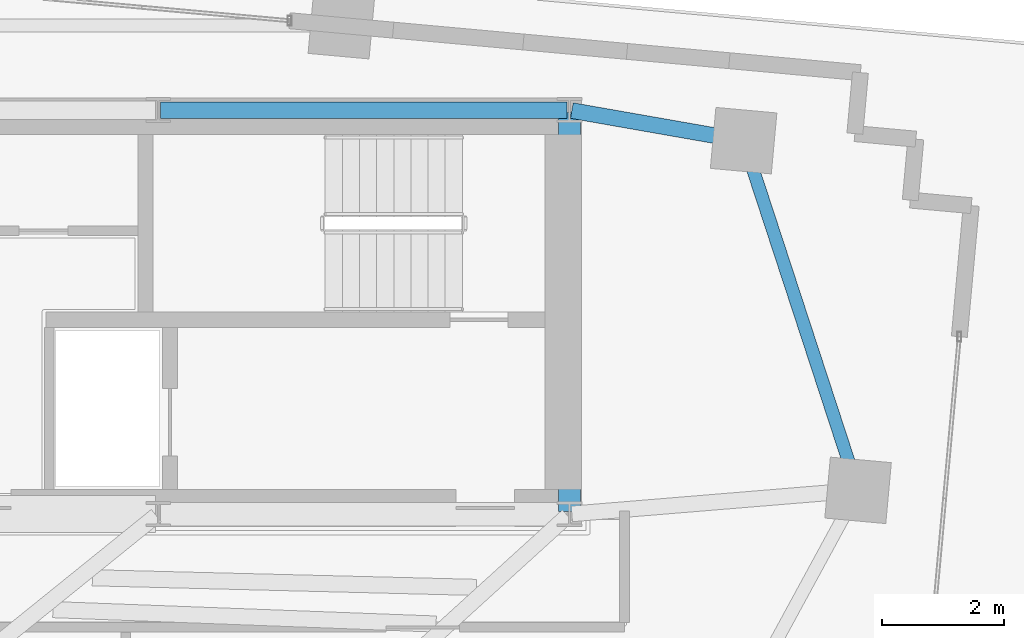
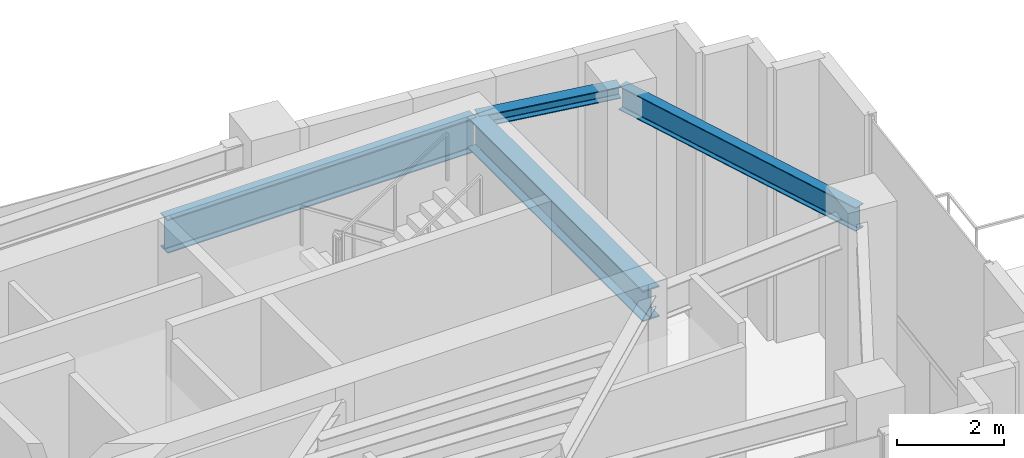
# One storey, part 9 of 18: 4 beams.
"""IFC4 building model written with IfcOpenShell, lengths in metres."""

from ifc_helpers import new_model, si_unit, direction, frame, origin, origin_2d, place, context, subcontext, project, spatial, i_section, extrude, source, transform, mapped, material, material_profile, profile_set, type_object, type_shapes, element, save


model = new_model("IFC4")

# Units and contexts
model_context = context("Model", 3, precision=1e-05, world=origin(), true_north=direction((0.0, 1.0)))
body_context = subcontext(model_context, "Body", "Model", "MODEL_VIEW")
ifc_project = project(units=[si_unit("LENGTHUNIT", "METRE"), si_unit("AREAUNIT", "SQUARE_METRE"), si_unit("VOLUMEUNIT", "CUBIC_METRE"), si_unit("PLANEANGLEUNIT", "RADIAN"), si_unit("MASSUNIT", "GRAM", prefix="KILO")], contexts=[model_context])

# Site, building, storey
site_placement = place(None, origin())
site = spatial("IfcSite", under=ifc_project, at=site_placement, CompositionType="ELEMENT")
building_placement = place(site_placement, origin())
building = spatial("IfcBuilding", under=site, at=building_placement, Name="Astriad Promenade Condominiums", CompositionType="ELEMENT")
storey_placement = place(building_placement, frame((0.0, 0.0, 264.300048828125)))
storey = spatial("IfcBuildingStorey", under=building, at=storey_placement, Name="L76", CompositionType="ELEMENT", Elevation=264.300048828125)

# Beams
ifc_material = material(Name="Steel ASTM A992 Grade 50", Category="steel")
ifc_material_profile_1 = material_profile(ifc_material, i_section(OverallWidth=0.267822265625, OverallDepth=0.76953125, WebThickness=0.015625, FlangeThickness=0.025390625, FilletRadius=0.021484375, at=origin_2d()), Name="W30X132")
ifc_profile_set_1 = profile_set([ifc_material_profile_1], Name="Steel ASTM A992 Grade 50")
beam_type_1 = type_object("IfcBeamType", Name="STEEL FLOOR GIRDER W30X132", PredefinedType="BEAM", material=ifc_profile_set_1)
shared_shape_1 = source(origin(), body_context, "Body", "SweptSolid", [
    extrude(i_section(OverallWidth=0.267822265625, OverallDepth=0.76953125, WebThickness=0.015625, FlangeThickness=0.025390625, FilletRadius=0.021484375, at=origin_2d()), origin(), (0.0, 0.0, 1.0), 6.64013671875),
])
type_shapes(beam_type_1, [shared_shape_1])
beam_1_placement = place(storey_placement, frame((38.919921875, 24.0, 5.815185546875), z_axis=(1.0, 0.0, 0.0), x_axis=(0.0, 1.0, 0.0)))
element("IfcBeam", 1, at=beam_1_placement, inside=storey, type_object=beam_type_1, Name="Core Ring Beam CG-N3-L76", PredefinedType="BEAM", context=body_context, shape_type="MappedRepresentation", body=[
    mapped(shared_shape_1, transform((0.0, 0.0, 0.0), scale=1.0)),
])
ifc_material_profile_2 = material_profile(ifc_material, i_section(OverallWidth=0.35791015625, OverallDepth=0.706298828125, WebThickness=0.018310546875, FlangeThickness=0.0302734375, FilletRadius=0.020263671875, at=origin_2d()), Name="W27X178")
ifc_profile_set_2 = profile_set([ifc_material_profile_2], Name="Steel ASTM A992 Grade 50")
beam_type_2 = type_object("IfcBeamType", Name="STEEL FLOOR GIRDER W27X178", PredefinedType="BEAM", material=ifc_profile_set_2)
shared_shape_2 = source(origin(), body_context, "Body", "SweptSolid", [
    extrude(i_section(OverallWidth=0.35791015625, OverallDepth=0.706298828125, WebThickness=0.018310546875, FlangeThickness=0.0302734375, FilletRadius=0.020263671875, at=origin_2d()), origin(), (0.0, 0.0, 1.0), 6.52001953125),
])
type_shapes(beam_type_2, [shared_shape_2])
beam_2_placement = place(storey_placement, frame((45.60009765625, 17.43994140625, 5.8466796875), z_axis=(0.0, 1.0, 0.0), x_axis=(-1.0, 0.0, 0.0)))
element("IfcBeam", 2, at=beam_2_placement, inside=storey, type_object=beam_type_2, Name="Core Ring Beam CG-E1-L76", PredefinedType="BEAM", context=body_context, shape_type="MappedRepresentation", body=[
    mapped(shared_shape_2, transform((0.0, 0.0, 0.0), scale=1.0)),
])
ifc_material_profile_3 = material_profile(ifc_material, i_section(OverallWidth=0.210693359375, OverallDepth=0.53955078125, WebThickness=0.01171875, FlangeThickness=0.018798828125, FilletRadius=0.0166015625, at=origin_2d()), Name="W21X73")
ifc_profile_set_3 = profile_set([ifc_material_profile_3], Name="Steel ASTM A992 Grade 50")
beam_type_3 = type_object("IfcBeamType", Name="STEEL SPANDREL BEAM W21X73", PredefinedType="SPANDREL", material=ifc_profile_set_3)
shared_shape_3 = source(origin(), body_context, "Body", "SweptSolid", [
    extrude(i_section(OverallWidth=0.210693359375, OverallDepth=0.53955078125, WebThickness=0.01171875, FlangeThickness=0.018798828125, FilletRadius=0.0166015625, at=origin_2d()), origin(), (0.0, 0.0, 1.0), 5.93115234375),
])
type_shapes(beam_type_3, [shared_shape_3])
beam_3_placement = place(storey_placement, frame((50.303466796875, 17.825927734375, 5.93017578125), z_axis=(-0.311061368201, 0.950389828025, 0.0), x_axis=(-0.950389828025, -0.311061368201, 0.0)))
element("IfcBeam", 3, at=beam_3_placement, inside=storey, type_object=beam_type_3, Name="Perimeter Spandrel Beam SP-E2-L76", PredefinedType="SPANDREL", context=body_context, shape_type="MappedRepresentation", body=[
    mapped(shared_shape_3, transform((0.0, 0.0, 0.0), scale=1.0)),
])
ifc_material_profile_4 = material_profile(ifc_material, i_section(OverallWidth=0.25732421875, OverallDepth=0.26416015625, WebThickness=0.011962890625, FlangeThickness=0.01953125, FilletRadius=0.0126953125, at=origin_2d()), Name="W10X68")
ifc_profile_set_4 = profile_set([ifc_material_profile_4], Name="Steel ASTM A992 Grade 50")
beam_type_4 = type_object("IfcBeamType", Name="STEEL CANOPY BEAM W10X68", PredefinedType="BEAM", material=ifc_profile_set_4)
shared_shape_4 = source(origin(), body_context, "Body", "SweptSolid", [
    extrude(i_section(OverallWidth=0.25732421875, OverallDepth=0.26416015625, WebThickness=0.011962890625, FlangeThickness=0.01953125, FilletRadius=0.0126953125, at=origin_2d()), origin(), (0.0, 0.0, 1.0), 2.809326171875),
])
type_shapes(beam_type_4, [shared_shape_4])
beam_4_placement = place(storey_placement, frame((48.406494140625, 23.5078125, 6.06787109375), z_axis=(-0.984963251782, 0.172763979578, 0.0), x_axis=(-0.172763979578, -0.984963251782, 0.0)))
element("IfcBeam", 4, at=beam_4_placement, inside=storey, type_object=beam_type_4, Name="Primary Floor Girder PG-NE-L76", PredefinedType="BEAM", context=body_context, shape_type="MappedRepresentation", body=[
    mapped(shared_shape_4, transform((0.0, 0.0, 0.0), scale=1.0)),
])

save(model, "model.ifc")
